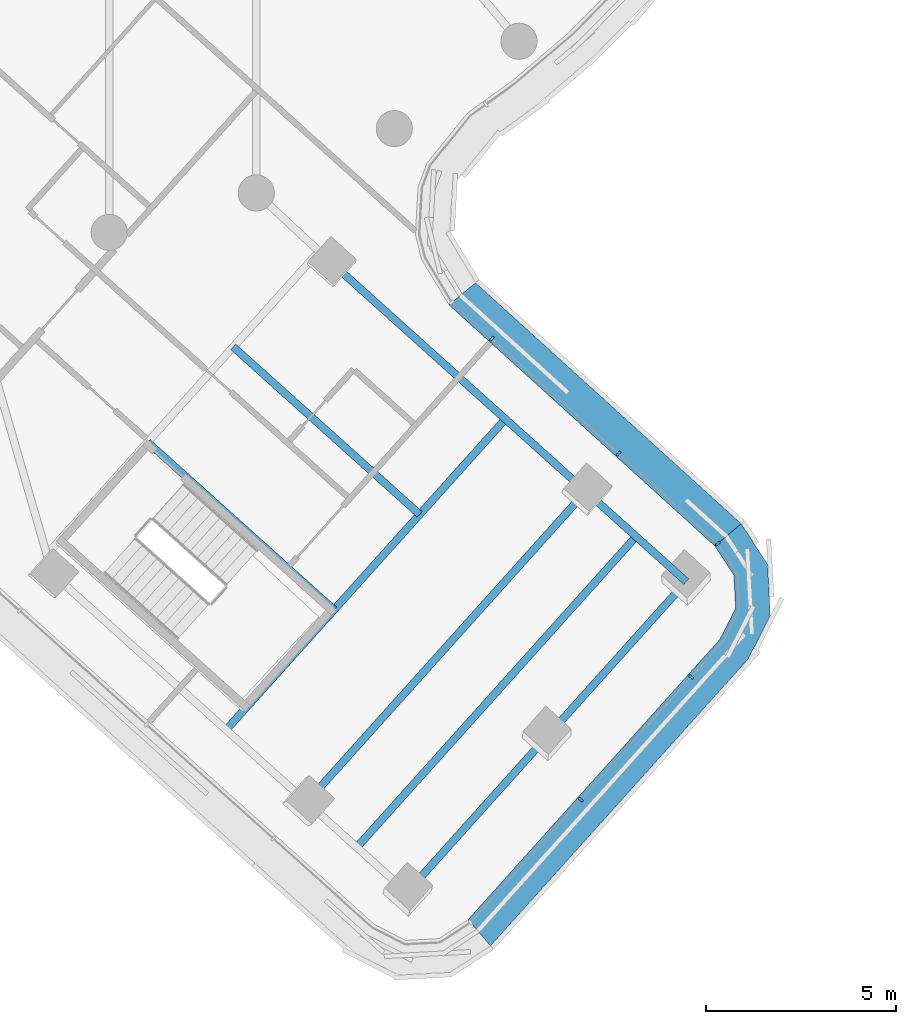
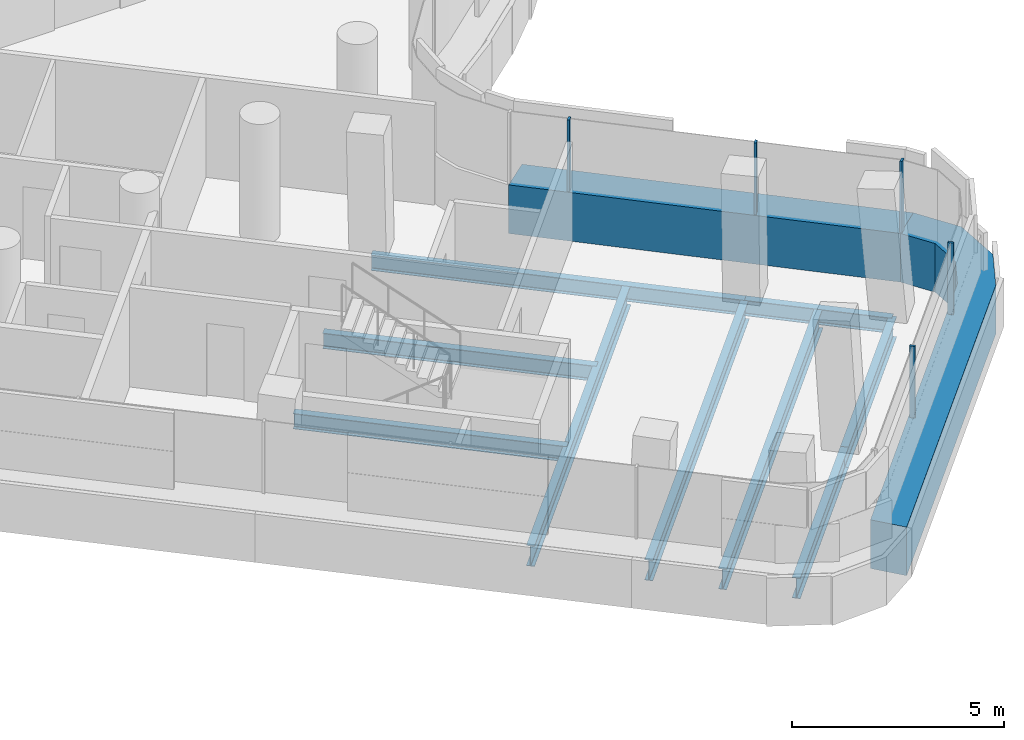
# One storey, part 5 of 31: 9 beams, 7 members, 2 elements without a shape of their own.
"""IFC4 building model written with IfcOpenShell, lengths in metres."""

from ifc_helpers import new_model, si_unit, direction, frame, origin, origin_2d, place, context, subcontext, project, spatial, polyline, rectangle, i_section, outline, extrude, material, layer, layer_set, material_profile, profile_set, type_object, element, aggregate, save


model = new_model("IFC4")

# Units and contexts
model_context = context("Model", 3, precision=1e-05, world=origin(), true_north=direction((0.0, 1.0)))
body_context = subcontext(model_context, "Body", "Model", "MODEL_VIEW")
ifc_project = project(units=[si_unit("LENGTHUNIT", "METRE"), si_unit("AREAUNIT", "SQUARE_METRE"), si_unit("VOLUMEUNIT", "CUBIC_METRE"), si_unit("PLANEANGLEUNIT", "RADIAN"), si_unit("MASSUNIT", "GRAM", prefix="KILO")], contexts=[model_context])

# Site, building, storey
site_placement = place(None, origin())
site = spatial("IfcSite", under=ifc_project, at=site_placement, CompositionType="ELEMENT")
building_placement = place(site_placement, origin())
building = spatial("IfcBuilding", under=site, at=building_placement, Name="Tamarind Cross Interchange Tower", CompositionType="ELEMENT")
storey_placement = place(building_placement, frame((0.0, 0.0, 207.699951171875)))
storey = spatial("IfcBuildingStorey", under=building, at=storey_placement, Name="L52", CompositionType="ELEMENT", Elevation=207.699951171875)

# Beams
ifc_material_1 = material(Name="Steel Q355B", Category="steel")
ifc_material_profile_1 = material_profile(ifc_material_1, i_section(OverallWidth=0.198974609375, OverallDepth=0.446044921875, WebThickness=0.008056640625, FlangeThickness=0.011962890625, FilletRadius=0.012939453125, at=origin_2d()), Name="HN 446x199x8x12")
ifc_profile_set_1 = profile_set([ifc_material_profile_1], Name="Steel Q355B")
beam_type_1 = type_object("IfcBeamType", Name="Composite beam HN 446x199x8x12 Q355B", PredefinedType="BEAM", material=ifc_profile_set_1)
beam_1_placement = place(storey_placement, frame((19.186767578125, -31.84521484375, -0.363037109375), z_axis=(-0.743833898738, 0.66836451962, 0.0), x_axis=(-0.66836451962, -0.743833898738, 0.0)))
element("IfcBeam", 1, at=beam_1_placement, inside=storey, type_object=beam_type_1, Name="Beam S-edgeep2", PredefinedType="BEAM", context=body_context, shape_type="SweptSolid", body=[
    extrude(i_section(OverallWidth=0.198974609375, OverallDepth=0.446044921875, WebThickness=0.008056640625, FlangeThickness=0.011962890625, FilletRadius=0.012939453125, at=origin_2d()), origin(), (0.0, 0.0, 1.0), 3.552001953125),
])
beam_2_placement = place(storey_placement, frame((16.544677734375, -29.47119140625, -0.363037109375), z_axis=(-0.743857689885, 0.668338041113, 0.0), x_axis=(-0.668338041113, -0.743857689885, 0.0)))
element("IfcBeam", 2, at=beam_2_placement, inside=storey, type_object=beam_type_1, Name="Beam S-edgeep3", PredefinedType="BEAM", context=body_context, shape_type="SweptSolid", body=[
    extrude(i_section(OverallWidth=0.198974609375, OverallDepth=0.446044921875, WebThickness=0.008056640625, FlangeThickness=0.011962890625, FilletRadius=0.012939453125, at=origin_2d()), origin(), (0.0, 0.0, 1.0), 9.000244140625),
])
for number, where, z_axis, x_axis, name in (
    (3, (5.00390625, -28.17626953125, -0.363037109375), (0.743847527134, -0.668349352044, 0.0), (0.668349352044, 0.743847527134, 0.0), "Beam S-tr1"),
    (4, (7.259521484375, -25.665771484375, -0.363037109375), (0.743847527134, -0.668349352044, 0.0), (0.668349352044, 0.743847527134, 0.0), "Beam S-stripp"),
):
    element("IfcBeam", number, at=place(storey_placement, frame(where, z_axis=z_axis, x_axis=x_axis)), inside=storey, type_object=beam_type_1, Name=name, PredefinedType="BEAM", context=body_context, shape_type="SweptSolid", body=[
        extrude(i_section(OverallWidth=0.198974609375, OverallDepth=0.446044921875, WebThickness=0.008056640625, FlangeThickness=0.011962890625, FilletRadius=0.012939453125, at=origin_2d()), origin(), (0.0, 0.0, 1.0), 6.60009765625),
    ])
ifc_material_profile_2 = material_profile(ifc_material_1, i_section(OverallWidth=0.198974609375, OverallDepth=0.595947265625, WebThickness=0.010009765625, FlangeThickness=0.014892578125, FilletRadius=0.012939453125, at=origin_2d()), Name="HN 596x199x10x15")
ifc_profile_set_2 = profile_set([ifc_material_profile_2], Name="Steel Q355B")
beam_type_2 = type_object("IfcBeamType", Name="Composite beam HN 596x199x10x15 Q355B", PredefinedType="BEAM", material=ifc_profile_set_2)
beam_3_placement = place(storey_placement, frame((11.8349609375, -40.027587890625, -0.43798828125), z_axis=(0.668346505069, 0.74385008514, 0.0), x_axis=(-0.74385008514, 0.668346505069, 0.0)))
element("IfcBeam", 5, at=beam_3_placement, inside=storey, type_object=beam_type_2, Name="Beam S-tip0", PredefinedType="BEAM", context=body_context, shape_type="SweptSolid", body=[
    extrude(i_section(OverallWidth=0.198974609375, OverallDepth=0.595947265625, WebThickness=0.010009765625, FlangeThickness=0.014892578125, FilletRadius=0.012939453125, at=origin_2d()), origin(), (0.0, 0.0, 1.0), 5.500244140625),
])
beam_4_placement = place(storey_placement, frame((15.510986328125, -35.936279296875, -0.43798828125), z_axis=(0.668344011944, 0.743852325196, 0.0), x_axis=(-0.743852325196, 0.668344011944, 0.0)))
element("IfcBeam", 6, at=beam_4_placement, inside=storey, type_object=beam_type_2, Name="Beam S-tip1", PredefinedType="BEAM", context=body_context, shape_type="SweptSolid", body=[
    extrude(i_section(OverallWidth=0.198974609375, OverallDepth=0.595947265625, WebThickness=0.010009765625, FlangeThickness=0.014892578125, FilletRadius=0.012939453125, at=origin_2d()), origin(), (0.0, 0.0, 1.0), 5.499755859375),
])
for number, where, z_axis, x_axis, name in (
    (7, (7.07275390625, -35.748779296875, -0.43798828125), (0.668345258546, 0.743851205133, 0.0), (-0.743851205133, 0.668345258546, 0.0), "Beam S-x364"),
    (8, (9.19287109375, -37.653564453125, -0.43798828125), (0.668345258546, 0.743851205133, 0.0), (-0.743851205133, 0.668345258546, 0.0), "Beam S-x393"),
    (9, (10.513916015625, -38.840576171875, -0.43798828125), (0.668345258546, 0.743851205133, 0.0), (-0.743851205133, 0.668345258546, 0.0), "Beam S-x411"),
):
    element("IfcBeam", number, at=place(storey_placement, frame(where, z_axis=z_axis, x_axis=x_axis)), inside=storey, type_object=beam_type_2, Name=name, PredefinedType="BEAM", context=body_context, shape_type="SweptSolid", body=[
        extrude(i_section(OverallWidth=0.198974609375, OverallDepth=0.595947265625, WebThickness=0.010009765625, FlangeThickness=0.014892578125, FilletRadius=0.012939453125, at=origin_2d()), origin(), (0.0, 0.0, 1.0), 11.0),
    ])

# Curtain wall, member
ifc_material_2 = material(Name="Aluminium 6063-T6", Category="aluminium")
ifc_layer = layer(ifc_material_2, 0.139892578125)
ifc_layer_set = layer_set([ifc_layer], Name="Aluminium 6063-T6")
curtain_wall_type = type_object("IfcCurtainWallType", Name="Hotel curtain wall, 4.5 m bays", PredefinedType="NOTDEFINED", material=ifc_layer_set)
curtain_wall_1_placement = place(storey_placement, origin())
curtain_wall_1 = element("IfcCurtainWall", 10, at=curtain_wall_1_placement, inside=storey, type_object=curtain_wall_type, Name="CWS-L52-04", PredefinedType="NOTDEFINED")
ifc_material_3 = material(Name="Aluminium and insulated spandrel panel", Category="aluminium")
member_type_1 = type_object("IfcMemberType", Name="Floor-edge blade transom", PredefinedType="USERDEFINED", material=ifc_material_3)
member_1_placement = place(storey_placement, origin())
member_1 = element("IfcMember", 11, at=member_1_placement, type_object=member_type_1, Name="CWT-L52-04", ObjectType="TRANSOM", PredefinedType="USERDEFINED", context=body_context, shape_type="SweptSolid", body=[
    extrude(outline(polyline([(13.441650390625, -40.74560546875), (20.072265625, -33.365966796875), (20.48681640625, -32.5498046875), (20.440185546875, -31.676513671875), (19.9404296875, -30.908935546875), (20.63134765625, -30.3203125), (21.326171875, -31.3876953125), (21.3984375, -32.74267578125), (20.82080078125, -33.87939453125), (14.031982421875, -41.435302734375), (13.441650390625, -40.74560546875)])), origin(), (0.0, 0.0, 1.0), 1.400146484375),
])

curtain_wall_2_placement = place(storey_placement, origin())
curtain_wall_2 = element("IfcCurtainWall", 12, at=curtain_wall_2_placement, inside=storey, type_object=curtain_wall_type, Name="CWS-L52-05", PredefinedType="NOTDEFINED")
member_2_placement = place(storey_placement, origin())
member_2 = element("IfcMember", 13, at=member_2_placement, type_object=member_type_1, Name="CWT-L52-05", ObjectType="TRANSOM", PredefinedType="USERDEFINED", context=body_context, shape_type="SweptSolid", body=[
    extrude(outline(polyline([(19.9404296875, -30.908935546875), (12.93603515625, -24.556396484375), (13.63916015625, -23.979248046875), (20.63134765625, -30.3203125), (19.9404296875, -30.908935546875)])), origin(), (0.0, 0.0, 1.0), 1.400146484375),
])

# Member
ifc_material_profile_3 = material_profile(ifc_material_2, rectangle(XDim=0.06005859375, YDim=0.139892578125, at=origin_2d()), Name="Mullion CW2")
ifc_profile_set_3 = profile_set([ifc_material_profile_3], Name="Aluminium 6063-T6")
member_type_2 = type_object("IfcMemberType", Name="Mullion CW2", PredefinedType="MULLION", material=ifc_profile_set_3)
member_3_placement = place(storey_placement, frame((16.41162109375, -37.58984375, 1.400146484375), z_axis=(0.0, 0.0, 1.0), x_axis=(0.668341634065, 0.743854461689, 0.0)))
member_3 = element("IfcMember", 14, at=member_3_placement, type_object=member_type_2, Name="CWM-L52-04-01", PredefinedType="MULLION", context=body_context, shape_type="SweptSolid", body=[
    extrude(rectangle(XDim=0.06005859375, YDim=0.139892578125, at=origin_2d()), origin(), (0.0, 0.0, 1.0), 2.059814453125),
])

member_4_placement = place(storey_placement, frame((19.31591796875, -34.357421875, 1.400146484375), z_axis=(0.0, 0.0, 1.0), x_axis=(0.668341634065, 0.743854461689, 0.0)))
member_4 = element("IfcMember", 15, at=member_4_placement, type_object=member_type_2, Name="CWM-L52-04-02", PredefinedType="MULLION", context=body_context, shape_type="SweptSolid", body=[
    extrude(rectangle(XDim=0.06005859375, YDim=0.139892578125, at=origin_2d()), origin(), (0.0, 0.0, 1.0), 2.059814453125),
])

aggregate(curtain_wall_1, [member_3, member_4, member_1])

member_5_placement = place(storey_placement, frame((20.017333984375, -30.843505859375, 1.400146484375), z_axis=(0.0, 0.0, 1.0), x_axis=(-0.648488090068, 0.761224800595, 0.0)))
member_5 = element("IfcMember", 16, at=member_5_placement, type_object=member_type_2, Name="CWM-L52-05-00", PredefinedType="MULLION", context=body_context, shape_type="SweptSolid", body=[
    extrude(rectangle(XDim=0.06005859375, YDim=0.139892578125, at=origin_2d()), origin(), (0.0, 0.0, 1.0), 2.059814453125),
])

member_6_placement = place(storey_placement, frame((17.403564453125, -28.47314453125, 1.400146484375), z_axis=(0.0, 0.0, 1.0), x_axis=(-0.74074145134, 0.671790221919, 0.0)))
member_6 = element("IfcMember", 17, at=member_6_placement, type_object=member_type_2, Name="CWM-L52-05-01", PredefinedType="MULLION", context=body_context, shape_type="SweptSolid", body=[
    extrude(rectangle(XDim=0.06005859375, YDim=0.139892578125, at=origin_2d()), origin(), (0.0, 0.0, 1.0), 2.059814453125),
])

member_7_placement = place(storey_placement, frame((14.06884765625, -25.44873046875, 1.400146484375), z_axis=(0.0, 0.0, 1.0), x_axis=(-0.74074145134, 0.671790221919, 0.0)))
member_7 = element("IfcMember", 18, at=member_7_placement, type_object=member_type_2, Name="CWM-L52-05-02", PredefinedType="MULLION", context=body_context, shape_type="SweptSolid", body=[
    extrude(rectangle(XDim=0.06005859375, YDim=0.139892578125, at=origin_2d()), origin(), (0.0, 0.0, 1.0), 2.059814453125),
])

aggregate(curtain_wall_2, [member_5, member_6, member_7, member_2])

save(model, "model.ifc")
